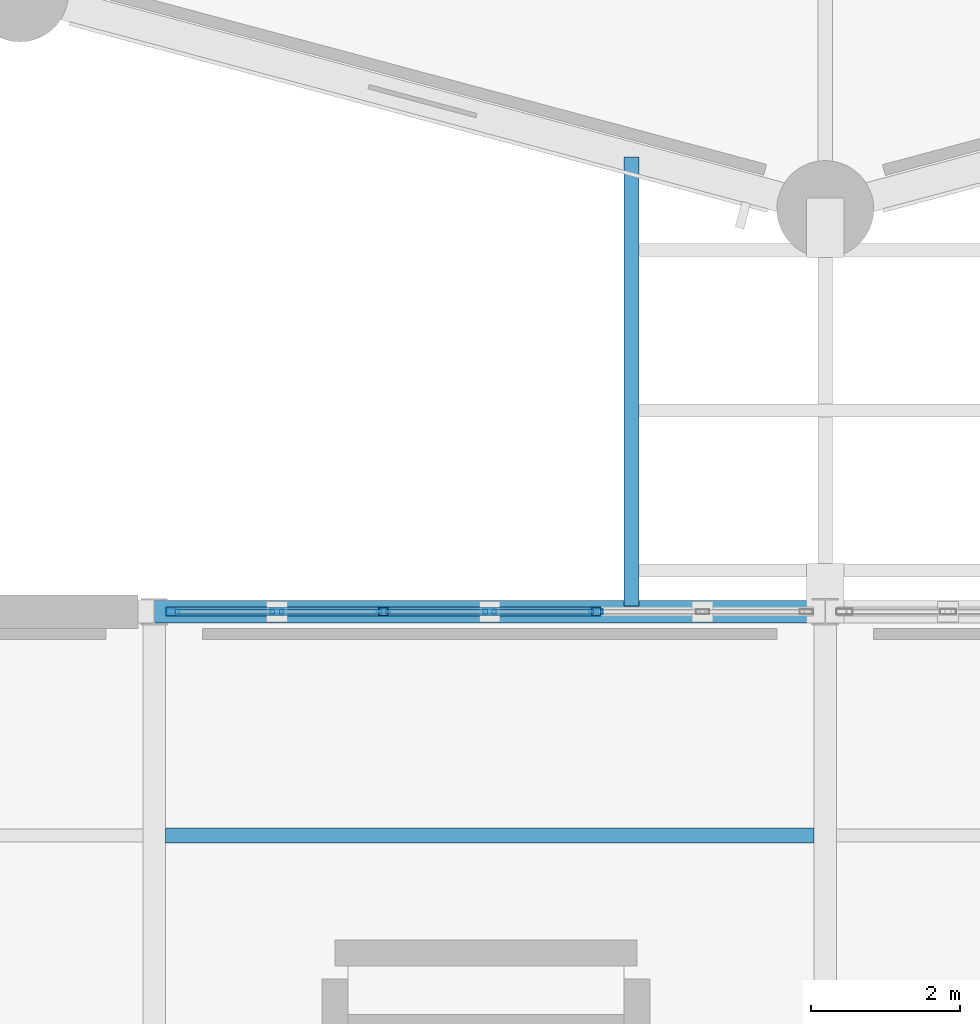
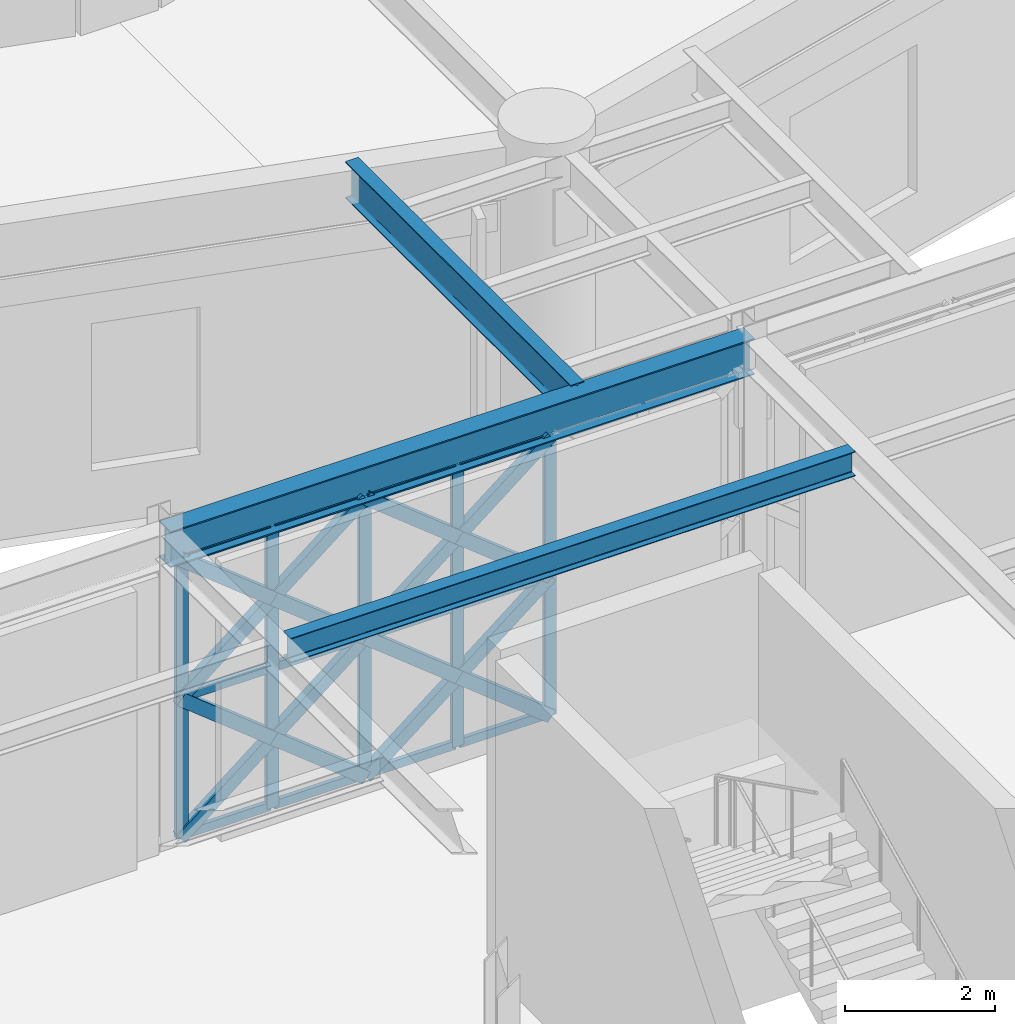
# One storey, part 37 of 166: 29 members, 3 beams, 1 element without a shape of its own.
"""IFC4 building model written with IfcOpenShell, lengths in metres."""

from ifc_helpers import new_model, si_unit, direction, frame, origin, origin_2d, place, context, subcontext, project, spatial, hollow_rectangle, i_section, extrude, material, material_profile, profile_set, type_object, element, aggregate, save


model = new_model("IFC4")

# Units and contexts
model_context = context("Model", 3, precision=1e-05, world=origin(), true_north=direction((0.0, 1.0)))
body_context = subcontext(model_context, "Body", "Model", "MODEL_VIEW")
ifc_project = project(units=[si_unit("LENGTHUNIT", "METRE"), si_unit("AREAUNIT", "SQUARE_METRE"), si_unit("VOLUMEUNIT", "CUBIC_METRE"), si_unit("PLANEANGLEUNIT", "RADIAN"), si_unit("MASSUNIT", "GRAM", prefix="KILO")], contexts=[model_context])

# Site, building, storey
site_placement = place(None, origin())
site = spatial("IfcSite", under=ifc_project, at=site_placement, CompositionType="ELEMENT")
building_placement = place(site_placement, origin())
building = spatial("IfcBuilding", under=site, at=building_placement, Name="Haizhuo Lancet Aquarium", CompositionType="ELEMENT")
storey_placement = place(building_placement, frame((0.0, 0.0, 5.39990234375)))
storey = spatial("IfcBuildingStorey", under=building, at=storey_placement, Name="L01", CompositionType="ELEMENT", Elevation=5.39990234375)

# Beams
ifc_material_1 = material(Name="Steel S355", Category="steel")
ifc_material_profile_1 = material_profile(ifc_material_1, i_section(OverallWidth=0.300048828125, OverallDepth=0.587890625, WebThickness=0.011962890625, FlangeThickness=0.02001953125, FilletRadius=0.02587890625, at=origin_2d()), Name="HM 588x300x12x20")
ifc_profile_set_1 = profile_set([ifc_material_profile_1], Name="Steel S355")
beam_type_1 = type_object("IfcBeamType", Name="BM-ST-HM588", PredefinedType="BEAM", material=ifc_profile_set_1)
beam_1_placement = place(storey_placement, frame((-9.0, -27.0, 4.84619140625), z_axis=(1.0, 0.0, 0.0), x_axis=(0.0, 1.0, 0.0)))
element("IfcBeam", 1, at=beam_1_placement, inside=storey, type_object=beam_type_1, Name="L01 V4 primary girder BM-L01-V4-013", PredefinedType="BEAM", context=body_context, shape_type="SweptSolid", body=[
    extrude(i_section(OverallWidth=0.300048828125, OverallDepth=0.587890625, WebThickness=0.011962890625, FlangeThickness=0.02001953125, FilletRadius=0.02587890625, at=origin_2d()), origin(), (0.0, 0.0, 1.0), 9.0),
])
ifc_material_profile_2 = material_profile(ifc_material_1, i_section(OverallWidth=0.199951171875, OverallDepth=0.60009765625, WebThickness=0.010986328125, FlangeThickness=0.01708984375, FilletRadius=0.02197265625, at=origin_2d()), Name="HN 600x200x11x17")
ifc_profile_set_2 = profile_set([ifc_material_profile_2], Name="Steel S355")
beam_type_2 = type_object("IfcBeamType", Name="BM-ST-HN600", PredefinedType="BEAM", material=ifc_profile_set_2)
beam_2_placement = place(storey_placement, frame((-2.60009765625, -26.919921875, 4.880126953125), z_axis=(0.0, 1.0, 0.0), x_axis=(-1.0, 0.0, 0.0)))
element("IfcBeam", 2, at=beam_2_placement, inside=storey, type_object=beam_type_2, Name="Glazed bridge edge girder SB-04 W", PredefinedType="BEAM", context=body_context, shape_type="SweptSolid", body=[
    extrude(i_section(OverallWidth=0.199951171875, OverallDepth=0.60009765625, WebThickness=0.010986328125, FlangeThickness=0.01708984375, FilletRadius=0.02197265625, at=origin_2d()), origin(), (0.0, 0.0, 1.0), 6.016845703125),
])

# Curtain wall, members
ifc_material_2 = material(Name="Aluminium 6063-T6", Category="aluminium")
curtain_wall_type = type_object("IfcCurtainWallType", Name="CWO-8560x4550", PredefinedType="NOTDEFINED", material=ifc_material_2)
curtain_wall_placement = place(storey_placement, origin())
curtain_wall = element("IfcCurtainWall", 3, at=curtain_wall_placement, inside=storey, type_object=curtain_wall_type, Name="L01 curtain wall CW-V4-L01-091", PredefinedType="NOTDEFINED")
ifc_material_profile_3 = material_profile(ifc_material_2, hollow_rectangle(XDim=0.06494140625, YDim=0.179931640625, WallThickness=0.00390625, at=origin_2d()), Name="ALU-M 65x180x4")
ifc_profile_set_3 = profile_set([ifc_material_profile_3], Name="Aluminium 6063-T6")
member_type_1 = type_object("IfcMemberType", Name="CW-MUL-1", PredefinedType="MULLION", material=ifc_profile_set_3)
member_1_placement = place(storey_placement, frame((-8.7470703125, -27.0, 0.0), z_axis=(0.0, 0.0, 1.0), x_axis=(0.0, 1.0, 0.0)))
member_1 = element("IfcMember", 4, at=member_1_placement, type_object=member_type_1, Name="CWO-85x45 mullion 1", PredefinedType="MULLION", context=body_context, shape_type="SweptSolid", body=[
    extrude(hollow_rectangle(XDim=0.06494140625, YDim=0.179931640625, WallThickness=0.00390625, at=origin_2d()), origin(), (0.0, 0.0, 1.0), 4.552001953125),
])
member_2_placement = place(storey_placement, frame((-7.35302734375, -27.0, 0.0), z_axis=(0.0, 0.0, 1.0), x_axis=(0.0, 1.0, 0.0)))
member_2 = element("IfcMember", 5, at=member_2_placement, type_object=member_type_1, Name="CWO-85x45 mullion 2", PredefinedType="MULLION", context=body_context, shape_type="SweptSolid", body=[
    extrude(hollow_rectangle(XDim=0.06494140625, YDim=0.179931640625, WallThickness=0.00390625, at=origin_2d()), origin(), (0.0, 0.0, 1.0), 4.552001953125),
])
member_3_placement = place(storey_placement, frame((-5.927001953125, -27.0, 0.0), z_axis=(0.0, 0.0, 1.0), x_axis=(0.0, 1.0, 0.0)))
member_3 = element("IfcMember", 6, at=member_3_placement, type_object=member_type_1, Name="CWO-85x45 mullion 3", PredefinedType="MULLION", context=body_context, shape_type="SweptSolid", body=[
    extrude(hollow_rectangle(XDim=0.06494140625, YDim=0.179931640625, WallThickness=0.00390625, at=origin_2d()), origin(), (0.0, 0.0, 1.0), 4.552001953125),
])
member_4_placement = place(storey_placement, frame((-4.5, -27.0, 0.0), z_axis=(0.0, 0.0, 1.0), x_axis=(0.0, 1.0, 0.0)))
member_4 = element("IfcMember", 7, at=member_4_placement, type_object=member_type_1, Name="CWO-85x45 mullion 4", PredefinedType="MULLION", context=body_context, shape_type="SweptSolid", body=[
    extrude(hollow_rectangle(XDim=0.06494140625, YDim=0.179931640625, WallThickness=0.00390625, at=origin_2d()), origin(), (0.0, 0.0, 1.0), 4.552001953125),
])
member_5_placement = place(storey_placement, frame((-3.072998046875, -27.0, 0.0), z_axis=(0.0, 0.0, 1.0), x_axis=(0.0, 1.0, 0.0)))
member_5 = element("IfcMember", 8, at=member_5_placement, type_object=member_type_1, Name="CWO-85x45 mullion 5", PredefinedType="MULLION", context=body_context, shape_type="SweptSolid", body=[
    extrude(hollow_rectangle(XDim=0.06494140625, YDim=0.179931640625, WallThickness=0.00390625, at=origin_2d()), origin(), (0.0, 0.0, 1.0), 4.552001953125),
])
ifc_material_profile_4 = material_profile(ifc_material_2, hollow_rectangle(XDim=0.06494140625, YDim=0.139892578125, WallThickness=0.00390625, at=origin_2d()), Name="ALU-T 65x140x4")
ifc_profile_set_4 = profile_set([ifc_material_profile_4], Name="Aluminium 6063-T6")
member_type_2 = type_object("IfcMemberType", Name="CW-TRN-1", PredefinedType="NOTDEFINED", material=ifc_profile_set_4)
member_6_placement = place(storey_placement, frame((-8.715087890625, -27.0, 0.033203125), z_axis=(1.0, 0.0, 0.0), x_axis=(0.0, 1.0, 0.0)))
member_6 = element("IfcMember", 9, at=member_6_placement, type_object=member_type_2, Name="CWO-85x45 transom 1.1", ObjectType="TRANSOM", PredefinedType="USERDEFINED", context=body_context, shape_type="SweptSolid", body=[
    extrude(hollow_rectangle(XDim=0.06494140625, YDim=0.139892578125, WallThickness=0.00390625, at=origin_2d()), origin(), (0.0, 0.0, 1.0), 1.3291015625),
])
member_7_placement = place(storey_placement, frame((-8.715087890625, -27.0, 2.276123046875), z_axis=(1.0, 0.0, 0.0), x_axis=(0.0, 1.0, 0.0)))
member_7 = element("IfcMember", 10, at=member_7_placement, type_object=member_type_2, Name="CWO-85x45 transom 1.2", ObjectType="TRANSOM", PredefinedType="USERDEFINED", context=body_context, shape_type="SweptSolid", body=[
    extrude(hollow_rectangle(XDim=0.06494140625, YDim=0.139892578125, WallThickness=0.00390625, at=origin_2d()), origin(), (0.0, 0.0, 1.0), 1.3291015625),
])
member_8_placement = place(storey_placement, frame((-8.715087890625, -27.0, 4.51904296875), z_axis=(1.0, 0.0, 0.0), x_axis=(0.0, 1.0, 0.0)))
member_8 = element("IfcMember", 11, at=member_8_placement, type_object=member_type_2, Name="CWO-85x45 transom 1.3", ObjectType="TRANSOM", PredefinedType="USERDEFINED", context=body_context, shape_type="SweptSolid", body=[
    extrude(hollow_rectangle(XDim=0.06494140625, YDim=0.139892578125, WallThickness=0.00390625, at=origin_2d()), origin(), (0.0, 0.0, 1.0), 1.3291015625),
])
member_9_placement = place(storey_placement, frame((-7.321044921875, -27.0, 0.033203125), z_axis=(1.0, 0.0, 0.0), x_axis=(0.0, 1.0, 0.0)))
member_9 = element("IfcMember", 12, at=member_9_placement, type_object=member_type_2, Name="CWO-85x45 transom 2.1", ObjectType="TRANSOM", PredefinedType="USERDEFINED", context=body_context, shape_type="SweptSolid", body=[
    extrude(hollow_rectangle(XDim=0.06494140625, YDim=0.139892578125, WallThickness=0.00390625, at=origin_2d()), origin(), (0.0, 0.0, 1.0), 1.362060546875),
])
member_10_placement = place(storey_placement, frame((-7.321044921875, -27.0, 2.276123046875), z_axis=(1.0, 0.0, 0.0), x_axis=(0.0, 1.0, 0.0)))
member_10 = element("IfcMember", 13, at=member_10_placement, type_object=member_type_2, Name="CWO-85x45 transom 2.2", ObjectType="TRANSOM", PredefinedType="USERDEFINED", context=body_context, shape_type="SweptSolid", body=[
    extrude(hollow_rectangle(XDim=0.06494140625, YDim=0.139892578125, WallThickness=0.00390625, at=origin_2d()), origin(), (0.0, 0.0, 1.0), 1.362060546875),
])
member_11_placement = place(storey_placement, frame((-7.321044921875, -27.0, 4.51904296875), z_axis=(1.0, 0.0, 0.0), x_axis=(0.0, 1.0, 0.0)))
member_11 = element("IfcMember", 14, at=member_11_placement, type_object=member_type_2, Name="CWO-85x45 transom 2.3", ObjectType="TRANSOM", PredefinedType="USERDEFINED", context=body_context, shape_type="SweptSolid", body=[
    extrude(hollow_rectangle(XDim=0.06494140625, YDim=0.139892578125, WallThickness=0.00390625, at=origin_2d()), origin(), (0.0, 0.0, 1.0), 1.362060546875),
])
member_12_placement = place(storey_placement, frame((-5.89404296875, -27.0, 0.033203125), z_axis=(1.0, 0.0, 0.0), x_axis=(0.0, 1.0, 0.0)))
member_12 = element("IfcMember", 15, at=member_12_placement, type_object=member_type_2, Name="CWO-85x45 transom 3.1", ObjectType="TRANSOM", PredefinedType="USERDEFINED", context=body_context, shape_type="SweptSolid", body=[
    extrude(hollow_rectangle(XDim=0.06494140625, YDim=0.139892578125, WallThickness=0.00390625, at=origin_2d()), origin(), (0.0, 0.0, 1.0), 1.362060546875),
])
member_13_placement = place(storey_placement, frame((-5.89404296875, -27.0, 2.276123046875), z_axis=(1.0, 0.0, 0.0), x_axis=(0.0, 1.0, 0.0)))
member_13 = element("IfcMember", 16, at=member_13_placement, type_object=member_type_2, Name="CWO-85x45 transom 3.2", ObjectType="TRANSOM", PredefinedType="USERDEFINED", context=body_context, shape_type="SweptSolid", body=[
    extrude(hollow_rectangle(XDim=0.06494140625, YDim=0.139892578125, WallThickness=0.00390625, at=origin_2d()), origin(), (0.0, 0.0, 1.0), 1.362060546875),
])
member_14_placement = place(storey_placement, frame((-5.89404296875, -27.0, 4.51904296875), z_axis=(1.0, 0.0, 0.0), x_axis=(0.0, 1.0, 0.0)))
member_14 = element("IfcMember", 17, at=member_14_placement, type_object=member_type_2, Name="CWO-85x45 transom 3.3", ObjectType="TRANSOM", PredefinedType="USERDEFINED", context=body_context, shape_type="SweptSolid", body=[
    extrude(hollow_rectangle(XDim=0.06494140625, YDim=0.139892578125, WallThickness=0.00390625, at=origin_2d()), origin(), (0.0, 0.0, 1.0), 1.362060546875),
])
member_15_placement = place(storey_placement, frame((-4.468017578125, -27.0, 0.033203125), z_axis=(1.0, 0.0, 0.0), x_axis=(0.0, 1.0, 0.0)))
member_15 = element("IfcMember", 18, at=member_15_placement, type_object=member_type_2, Name="CWO-85x45 transom 4.1", ObjectType="TRANSOM", PredefinedType="USERDEFINED", context=body_context, shape_type="SweptSolid", body=[
    extrude(hollow_rectangle(XDim=0.06494140625, YDim=0.139892578125, WallThickness=0.00390625, at=origin_2d()), origin(), (0.0, 0.0, 1.0), 1.362060546875),
])
member_16_placement = place(storey_placement, frame((-4.468017578125, -27.0, 2.276123046875), z_axis=(1.0, 0.0, 0.0), x_axis=(0.0, 1.0, 0.0)))
member_16 = element("IfcMember", 19, at=member_16_placement, type_object=member_type_2, Name="CWO-85x45 transom 4.2", ObjectType="TRANSOM", PredefinedType="USERDEFINED", context=body_context, shape_type="SweptSolid", body=[
    extrude(hollow_rectangle(XDim=0.06494140625, YDim=0.139892578125, WallThickness=0.00390625, at=origin_2d()), origin(), (0.0, 0.0, 1.0), 1.362060546875),
])
member_17_placement = place(storey_placement, frame((-4.468017578125, -27.0, 4.51904296875), z_axis=(1.0, 0.0, 0.0), x_axis=(0.0, 1.0, 0.0)))
member_17 = element("IfcMember", 20, at=member_17_placement, type_object=member_type_2, Name="CWO-85x45 transom 4.3", ObjectType="TRANSOM", PredefinedType="USERDEFINED", context=body_context, shape_type="SweptSolid", body=[
    extrude(hollow_rectangle(XDim=0.06494140625, YDim=0.139892578125, WallThickness=0.00390625, at=origin_2d()), origin(), (0.0, 0.0, 1.0), 1.362060546875),
])
aggregate(curtain_wall, [member_1, member_2, member_3, member_4, member_5, member_6, member_7, member_8, member_9, member_10, member_11, member_12, member_13, member_14, member_15, member_16, member_17])

# Beam
ifc_material_profile_5 = material_profile(ifc_material_1, i_section(OverallWidth=0.199951171875, OverallDepth=0.39990234375, WebThickness=0.008056640625, FlangeThickness=0.012939453125, FilletRadius=0.01611328125, at=origin_2d()), Name="HN 400x200x8x13")
ifc_profile_set_5 = profile_set([ifc_material_profile_5], Name="Steel S355")
beam_type_3 = type_object("IfcBeamType", Name="JST-ST-HN400", PredefinedType="JOIST", material=ifc_profile_set_5)
beam_3_placement = place(storey_placement, frame((-8.85009765625, -30.0, 4.940185546875), z_axis=(1.0, 0.0, 0.0), x_axis=(0.0, 1.0, 0.0)))
element("IfcBeam", 21, at=beam_3_placement, inside=storey, type_object=beam_type_3, Name="L01 V4 secondary floor joist 10", PredefinedType="JOIST", context=body_context, shape_type="SweptSolid", body=[
    extrude(i_section(OverallWidth=0.199951171875, OverallDepth=0.39990234375, WebThickness=0.008056640625, FlangeThickness=0.012939453125, FilletRadius=0.01611328125, at=origin_2d()), origin(), (0.0, 0.0, 1.0), 8.7001953125),
])

# Members
ifc_material_profile_6 = material_profile(ifc_material_1, hollow_rectangle(XDim=0.1201171875, YDim=0.199951171875, WallThickness=0.008056640625, at=origin_2d()), Name="RHS 120x200x8")
ifc_profile_set_6 = profile_set([ifc_material_profile_6], Name="Steel S355")
member_type_3 = type_object("IfcMemberType", Name="MEM-LB-RHS120x200", PredefinedType="BRACE", material=ifc_profile_set_6)
member_18_placement = place(storey_placement, frame((-8.780029296875, -27.0, 0.0), z_axis=(0.781709971476, 0.0, 0.623642141372), x_axis=(0.0, 1.0, 0.0)))
element("IfcMember", 22, at=member_18_placement, inside=storey, type_object=member_type_3, Name="Gothic lancet continuous diagonal brace CW-V4-L01-091 1A", PredefinedType="BRACE", context=body_context, shape_type="SweptSolid", body=[
    extrude(hollow_rectangle(XDim=0.1201171875, YDim=0.199951171875, WallThickness=0.008056640625, at=origin_2d()), origin(), (0.0, 0.0, 1.0), 3.649658203125),
])
member_19_placement = place(storey_placement, frame((-5.927001953125, -27.0, 0.0), z_axis=(-0.78157325262, 0.0, 0.623813474356), x_axis=(0.0, -1.0, 0.0)))
element("IfcMember", 23, at=member_19_placement, inside=storey, type_object=member_type_3, Name="Gothic lancet split diagonal brace CW-V4-L01-091 1B1", PredefinedType="BRACE", context=body_context, shape_type="SweptSolid", body=[
    extrude(hollow_rectangle(XDim=0.1201171875, YDim=0.199951171875, WallThickness=0.008056640625, at=origin_2d()), origin(), (0.0, 0.0, 1.0), 1.824462890625),
])
member_20_placement = place(storey_placement, frame((-7.35302734375, -27.0, 1.13818359375), z_axis=(-0.781846607014, 0.0, 0.623470835807), x_axis=(0.0, -1.0, 0.0)))
element("IfcMember", 24, at=member_20_placement, inside=storey, type_object=member_type_3, Name="Gothic lancet split diagonal brace CW-V4-L01-091 1B2", PredefinedType="BRACE", context=body_context, shape_type="SweptSolid", body=[
    extrude(hollow_rectangle(XDim=0.1201171875, YDim=0.199951171875, WallThickness=0.008056640625, at=origin_2d()), origin(), (0.0, 0.0, 1.0), 1.8251953125),
])
member_21_placement = place(storey_placement, frame((-8.780029296875, -27.0, 2.276123046875), z_axis=(0.781742582524, 0.0, 0.623601262561), x_axis=(0.0, 1.0, 0.0)))
element("IfcMember", 25, at=member_21_placement, inside=storey, type_object=member_type_3, Name="Gothic lancet continuous diagonal brace CW-V4-L01-091 2A", PredefinedType="BRACE", context=body_context, shape_type="SweptSolid", body=[
    extrude(hollow_rectangle(XDim=0.1201171875, YDim=0.199951171875, WallThickness=0.008056640625, at=origin_2d()), origin(), (0.0, 0.0, 1.0), 3.649658203125),
])
member_22_placement = place(storey_placement, frame((-5.927001953125, -27.0, 2.276123046875), z_axis=(-0.781638492735, 0.0, 0.623731726526), x_axis=(0.0, -1.0, 0.0)))
element("IfcMember", 26, at=member_22_placement, inside=storey, type_object=member_type_3, Name="Gothic lancet split diagonal brace CW-V4-L01-091 2B1", PredefinedType="BRACE", context=body_context, shape_type="SweptSolid", body=[
    extrude(hollow_rectangle(XDim=0.1201171875, YDim=0.199951171875, WallThickness=0.008056640625, at=origin_2d()), origin(), (0.0, 0.0, 1.0), 1.824462890625),
])
member_23_placement = place(storey_placement, frame((-7.35302734375, -27.0, 3.4140625), z_axis=(-0.781846607014, 0.0, 0.623470835807), x_axis=(0.0, -1.0, 0.0)))
element("IfcMember", 27, at=member_23_placement, inside=storey, type_object=member_type_3, Name="Gothic lancet split diagonal brace CW-V4-L01-091 2B2", PredefinedType="BRACE", context=body_context, shape_type="SweptSolid", body=[
    extrude(hollow_rectangle(XDim=0.1201171875, YDim=0.199951171875, WallThickness=0.008056640625, at=origin_2d()), origin(), (0.0, 0.0, 1.0), 1.8251953125),
])
member_24_placement = place(storey_placement, frame((-5.927001953125, -27.0, 0.0), z_axis=(0.781814005267, 0.0, 0.623511716946), x_axis=(0.0, 1.0, 0.0)))
element("IfcMember", 28, at=member_24_placement, inside=storey, type_object=member_type_3, Name="Gothic lancet continuous diagonal brace CW-V4-L01-091 3A", PredefinedType="BRACE", context=body_context, shape_type="SweptSolid", body=[
    extrude(hollow_rectangle(XDim=0.1201171875, YDim=0.199951171875, WallThickness=0.008056640625, at=origin_2d()), origin(), (0.0, 0.0, 1.0), 3.650390625),
])
member_25_placement = place(storey_placement, frame((-3.072998046875, -27.0, 0.0), z_axis=(-0.781781404101, 0.0, 0.623552592972), x_axis=(0.0, -1.0, 0.0)))
element("IfcMember", 29, at=member_25_placement, inside=storey, type_object=member_type_3, Name="Gothic lancet split diagonal brace CW-V4-L01-091 3B1", PredefinedType="BRACE", context=body_context, shape_type="SweptSolid", body=[
    extrude(hollow_rectangle(XDim=0.1201171875, YDim=0.199951171875, WallThickness=0.008056640625, at=origin_2d()), origin(), (0.0, 0.0, 1.0), 1.825439453125),
])
member_26_placement = place(storey_placement, frame((-4.5, -27.0, 1.13818359375), z_axis=(-0.781846607014, 0.0, 0.623470835807), x_axis=(0.0, -1.0, 0.0)))
element("IfcMember", 30, at=member_26_placement, inside=storey, type_object=member_type_3, Name="Gothic lancet split diagonal brace CW-V4-L01-091 3B2", PredefinedType="BRACE", context=body_context, shape_type="SweptSolid", body=[
    extrude(hollow_rectangle(XDim=0.1201171875, YDim=0.199951171875, WallThickness=0.008056640625, at=origin_2d()), origin(), (0.0, 0.0, 1.0), 1.8251953125),
])
member_27_placement = place(storey_placement, frame((-5.927001953125, -27.0, 2.276123046875), z_axis=(0.781846607014, 0.0, 0.623470835807), x_axis=(0.0, 1.0, 0.0)))
element("IfcMember", 31, at=member_27_placement, inside=storey, type_object=member_type_3, Name="Gothic lancet continuous diagonal brace CW-V4-L01-091 4A", PredefinedType="BRACE", context=body_context, shape_type="SweptSolid", body=[
    extrude(hollow_rectangle(XDim=0.1201171875, YDim=0.199951171875, WallThickness=0.008056640625, at=origin_2d()), origin(), (0.0, 0.0, 1.0), 3.650390625),
])
for number, where, z_axis, x_axis, name in (
    (32, (-3.072998046875, -27.0, 2.276123046875), (-0.781846607014, 0.0, 0.623470835807), (0.0, -1.0, 0.0), "Gothic lancet split diagonal brace CW-V4-L01-091 4B1"),
    (33, (-4.5, -27.0, 3.4140625), (-0.781846607014, 0.0, 0.623470835807), (0.0, -1.0, 0.0), "Gothic lancet split diagonal brace CW-V4-L01-091 4B2"),
):
    element("IfcMember", number, at=place(storey_placement, frame(where, z_axis=z_axis, x_axis=x_axis)), inside=storey, type_object=member_type_3, Name=name, PredefinedType="BRACE", context=body_context, shape_type="SweptSolid", body=[
        extrude(hollow_rectangle(XDim=0.1201171875, YDim=0.199951171875, WallThickness=0.008056640625, at=origin_2d()), origin(), (0.0, 0.0, 1.0), 1.8251953125),
    ])

save(model, "model.ifc")
